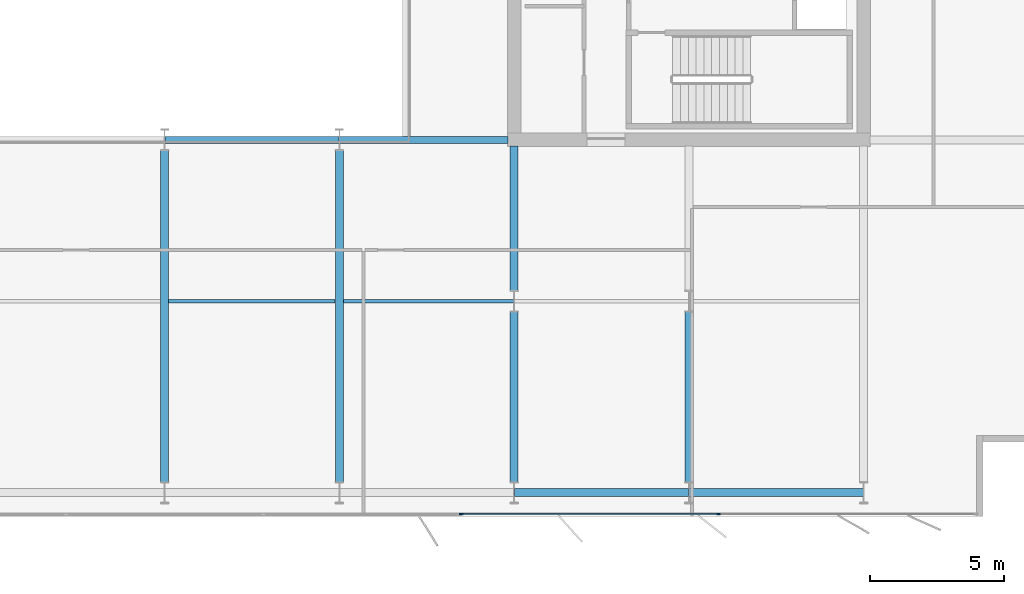
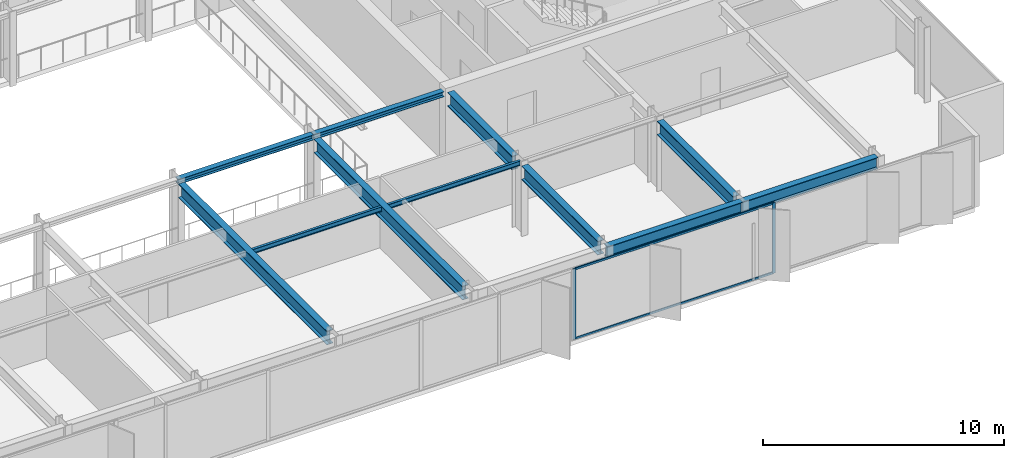
# One storey, part 7 of 23: 11 beams, 4 members, 1 element without a shape of its own.
"""IFC4 building model written with IfcOpenShell, lengths in metres."""

from ifc_helpers import new_model, si_unit, direction, frame, origin, origin_2d, place, context, subcontext, project, spatial, rectangle, i_section, extrude, material, layer, layer_set, material_profile, profile_set, type_object, element, aggregate, save


model = new_model("IFC4")

# Units and contexts
model_context = context("Model", 3, precision=1e-05, world=origin(), true_north=direction((0.0, 1.0)))
body_context = subcontext(model_context, "Body", "Model", "MODEL_VIEW")
ifc_project = project(units=[si_unit("LENGTHUNIT", "METRE"), si_unit("AREAUNIT", "SQUARE_METRE"), si_unit("VOLUMEUNIT", "CUBIC_METRE"), si_unit("PLANEANGLEUNIT", "RADIAN"), si_unit("MASSUNIT", "GRAM", prefix="KILO")], contexts=[model_context])

# Site, building, storey
site_placement = place(None, origin())
site = spatial("IfcSite", under=ifc_project, at=site_placement, CompositionType="ELEMENT")
building_placement = place(site_placement, origin())
building = spatial("IfcBuilding", under=site, at=building_placement, Name="Putna Gate Headquarters", CompositionType="ELEMENT")
storey_placement = place(building_placement, frame((0.0, 0.0, 225.199951171875)))
storey = spatial("IfcBuildingStorey", under=building, at=storey_placement, Name="L56", CompositionType="ELEMENT", Elevation=225.199951171875)

# Beams
ifc_material_1 = material(Name="Steel S355J2", Category="steel")
ifc_material_profile_1 = material_profile(ifc_material_1, i_section(OverallWidth=0.260009765625, OverallDepth=0.260009765625, WebThickness=0.010009765625, FlangeThickness=0.017578125, at=origin_2d()), Name="Steel S355J2")
ifc_profile_set_1 = profile_set([ifc_material_profile_1], Name="Steel S355J2")
beam_type_1 = type_object("IfcBeamType", Name="BM-ATRIUM-HEB260", PredefinedType="BEAM", material=ifc_profile_set_1)
beam_1_placement = place(storey_placement, frame((39.006103515625, 19.0, 3.449951171875), z_axis=(1.0, 0.0, 0.0), x_axis=(0.0, 1.0, 0.0)))
element("IfcBeam", 1, at=beam_1_placement, inside=storey, type_object=beam_type_1, Name="L56 Atrium Edge Beam AS3", PredefinedType="BEAM", context=body_context, shape_type="SweptSolid", body=[
    extrude(i_section(OverallWidth=0.260009765625, OverallDepth=0.260009765625, WebThickness=0.010009765625, FlangeThickness=0.017578125, at=origin_2d()), origin(), (0.0, 0.0, 1.0), 6.48779296875),
])
beam_2_placement = place(storey_placement, frame((45.506103515625, 19.0, 3.449951171875), z_axis=(1.0, 0.0, 0.0), x_axis=(0.0, 1.0, 0.0)))
element("IfcBeam", 2, at=beam_2_placement, inside=storey, type_object=beam_type_1, Name="L56 Atrium Edge Beam AS4", PredefinedType="BEAM", context=body_context, shape_type="SweptSolid", body=[
    extrude(i_section(OverallWidth=0.260009765625, OverallDepth=0.260009765625, WebThickness=0.010009765625, FlangeThickness=0.017578125, at=origin_2d()), origin(), (0.0, 0.0, 1.0), 6.2587890625),
])
ifc_material_profile_2 = material_profile(ifc_material_1, i_section(OverallWidth=0.300048828125, OverallDepth=0.699951171875, WebThickness=0.01708984375, FlangeThickness=0.031982421875, at=origin_2d()), Name="Steel S355J2")
ifc_profile_set_2 = profile_set([ifc_material_profile_2], Name="Steel S355J2")
beam_type_2 = type_object("IfcBeamType", Name="BM-GIRD-B-HEB700", PredefinedType="USERDEFINED", material=ifc_profile_set_2)
for number, where, z_axis, x_axis, name in (
    (3, (39.0, 6.27490234375, 3.22998046875), (0.0, 1.0, 0.0), (-1.0, 0.0, 0.0), "L56 South Primary Girder X39"),
    (4, (45.5, 6.27490234375, 3.22998046875), (0.0, 1.0, 0.0), (-1.0, 0.0, 0.0), "L56 South Primary Girder X45"),
):
    element("IfcBeam", number, at=place(storey_placement, frame(where, z_axis=z_axis, x_axis=x_axis)), inside=storey, type_object=beam_type_2, Name=name, ObjectType="GIRDER", PredefinedType="USERDEFINED", context=body_context, shape_type="SweptSolid", body=[
        extrude(i_section(OverallWidth=0.300048828125, OverallDepth=0.699951171875, WebThickness=0.01708984375, FlangeThickness=0.031982421875, at=origin_2d()), origin(), (0.0, 0.0, 1.0), 12.330078125),
    ])
beam_3_placement = place(storey_placement, frame((52.0, 6.27490234375, 3.22998046875), z_axis=(0.0, 1.0, 0.0), x_axis=(-1.0, 0.0, 0.0)))
element("IfcBeam", 5, at=beam_3_placement, inside=storey, type_object=beam_type_2, Name="L56 South Primary Girder X52-1", ObjectType="GIRDER", PredefinedType="USERDEFINED", context=body_context, shape_type="SweptSolid", body=[
    extrude(i_section(OverallWidth=0.300048828125, OverallDepth=0.699951171875, WebThickness=0.01708984375, FlangeThickness=0.031982421875, at=origin_2d()), origin(), (0.0, 0.0, 1.0), 6.330078125),
])
beam_4_placement = place(storey_placement, frame((52.0, 13.39501953125, 3.22998046875), z_axis=(0.0, 1.0, 0.0), x_axis=(-1.0, 0.0, 0.0)))
element("IfcBeam", 6, at=beam_4_placement, inside=storey, type_object=beam_type_2, Name="L56 South Primary Girder X52-2", ObjectType="GIRDER", PredefinedType="USERDEFINED", context=body_context, shape_type="SweptSolid", body=[
    extrude(i_section(OverallWidth=0.300048828125, OverallDepth=0.699951171875, WebThickness=0.01708984375, FlangeThickness=0.031982421875, at=origin_2d()), origin(), (0.0, 0.0, 1.0), 5.369873046875),
])
beam_5_placement = place(storey_placement, frame((58.5, 6.27490234375, 3.22998046875), z_axis=(0.0, 1.0, 0.0), x_axis=(-1.0, 0.0, 0.0)))
element("IfcBeam", 7, at=beam_5_placement, inside=storey, type_object=beam_type_2, Name="L56 South Primary Girder X58-1", ObjectType="GIRDER", PredefinedType="USERDEFINED", context=body_context, shape_type="SweptSolid", body=[
    extrude(i_section(OverallWidth=0.300048828125, OverallDepth=0.699951171875, WebThickness=0.01708984375, FlangeThickness=0.031982421875, at=origin_2d()), origin(), (0.0, 0.0, 1.0), 6.330078125),
])
ifc_material_profile_3 = material_profile(ifc_material_1, i_section(OverallWidth=0.1201171875, OverallDepth=0.239990234375, WebThickness=0.006103515625, FlangeThickness=0.009765625, at=origin_2d()), Name="Steel S355J2")
ifc_profile_set_3 = profile_set([ifc_material_profile_3], Name="Steel S355J2")
beam_type_3 = type_object("IfcBeamType", Name="BM-SEC-Z4-IPE240", PredefinedType="JOIST", material=ifc_profile_set_3)
beam_6_placement = place(storey_placement, frame((39.154052734375, 13.0, 3.4599609375), z_axis=(1.0, 0.0, 0.0), x_axis=(0.0, 1.0, 0.0)))
element("IfcBeam", 8, at=beam_6_placement, inside=storey, type_object=beam_type_3, Name="L56 South Secondary Beam 5", PredefinedType="JOIST", context=body_context, shape_type="SweptSolid", body=[
    extrude(i_section(OverallWidth=0.1201171875, OverallDepth=0.239990234375, WebThickness=0.006103515625, FlangeThickness=0.009765625, at=origin_2d()), origin(), (0.0, 0.0, 1.0), 6.19189453125),
])
beam_7_placement = place(storey_placement, frame((45.654052734375, 13.0, 3.4599609375), z_axis=(1.0, 0.0, 0.0), x_axis=(0.0, 1.0, 0.0)))
element("IfcBeam", 9, at=beam_7_placement, inside=storey, type_object=beam_type_3, Name="L56 South Secondary Beam 6", PredefinedType="JOIST", context=body_context, shape_type="SweptSolid", body=[
    extrude(i_section(OverallWidth=0.1201171875, OverallDepth=0.239990234375, WebThickness=0.006103515625, FlangeThickness=0.009765625, at=origin_2d()), origin(), (0.0, 0.0, 1.0), 6.33984375),
])
ifc_material_profile_4 = material_profile(ifc_material_1, i_section(OverallWidth=0.300048828125, OverallDepth=0.590087890625, WebThickness=0.012939453125, FlangeThickness=0.02490234375, at=origin_2d()), Name="Steel S355J2")
ifc_profile_set_4 = profile_set([ifc_material_profile_4], Name="Steel S355J2")
beam_type_4 = type_object("IfcBeamType", Name="BM-SPAN-Z4-HEA600", PredefinedType="SPANDREL", material=ifc_profile_set_4)
for number, where, z_axis, x_axis, name in (
    (10, (52.006103515625, 5.8798828125, 3.28515625), (1.0, 0.0, 0.0), (0.0, 1.0, 0.0), "L56 S Perimeter Spandrel 7"),
    (11, (58.506103515625, 5.8798828125, 3.28515625), (1.0, 0.0, 0.0), (0.0, 1.0, 0.0), "L56 S Perimeter Spandrel 8"),
):
    element("IfcBeam", number, at=place(storey_placement, frame(where, z_axis=z_axis, x_axis=x_axis)), inside=storey, type_object=beam_type_4, Name=name, PredefinedType="SPANDREL", context=body_context, shape_type="SweptSolid", body=[
        extrude(i_section(OverallWidth=0.300048828125, OverallDepth=0.590087890625, WebThickness=0.012939453125, FlangeThickness=0.02490234375, at=origin_2d()), origin(), (0.0, 0.0, 1.0), 6.48779296875),
    ])

# Curtain wall, members
ifc_material_2 = material(Name="Anodised bronze aluminium curtain wall", Category="aluminium")
ifc_layer = layer(ifc_material_2, 0.139892578125)
ifc_layer_set = layer_set([ifc_layer], Name="Anodised bronze aluminium curtain wall")
curtain_wall_type = type_object("IfcCurtainWallType", Name="CW-SYS-Z4", PredefinedType="USERDEFINED", material=ifc_layer_set)
curtain_wall_placement = place(storey_placement, origin())
curtain_wall = element("IfcCurtainWall", 12, at=curtain_wall_placement, inside=storey, type_object=curtain_wall_type, Name="L56 South East Curtain Wall", ObjectType="STICK CURTAIN WALL", PredefinedType="USERDEFINED")
ifc_material_3 = material(Name="Anodised bronze aluminium EN AW-6060", Category="aluminium")
ifc_material_profile_5 = material_profile(ifc_material_3, rectangle(XDim=0.06005859375, YDim=0.139892578125, at=origin_2d()), Name="Anodised bronze aluminium EN AW-6060")
ifc_profile_set_5 = profile_set([ifc_material_profile_5], Name="Anodised bronze aluminium EN AW-6060")
member_type_1 = type_object("IfcMemberType", Name="MULL-CWM-4", PredefinedType="MULLION", material=ifc_profile_set_5)
member_1_placement = place(storey_placement, frame((50.030029296875, 5.080078125, 0.0), z_axis=(0.0, 0.0, 1.0), x_axis=(0.0, 1.0, 0.0)))
member_1 = element("IfcMember", 13, at=member_1_placement, type_object=member_type_1, Name="CWS-4 mullion 1", PredefinedType="MULLION", context=body_context, shape_type="SweptSolid", body=[
    extrude(rectangle(XDim=0.06005859375, YDim=0.139892578125, at=origin_2d()), origin(), (0.0, 0.0, 1.0), 3.580078125),
])
member_2_placement = place(storey_placement, frame((59.60009765625, 5.080078125, 0.0), z_axis=(0.0, 0.0, 1.0), x_axis=(0.0, 1.0, 0.0)))
member_2 = element("IfcMember", 14, at=member_2_placement, type_object=member_type_1, Name="CWS-4 mullion 2", PredefinedType="MULLION", context=body_context, shape_type="SweptSolid", body=[
    extrude(rectangle(XDim=0.06005859375, YDim=0.139892578125, at=origin_2d()), origin(), (0.0, 0.0, 1.0), 3.580078125),
])
ifc_material_profile_6 = material_profile(ifc_material_3, rectangle(XDim=0.06005859375, YDim=0.10009765625, at=origin_2d()), Name="Anodised bronze aluminium EN AW-6060")
ifc_profile_set_6 = profile_set([ifc_material_profile_6], Name="Anodised bronze aluminium EN AW-6060")
member_type_2 = type_object("IfcMemberType", Name="TRAN-CWT-4", PredefinedType="USERDEFINED", material=ifc_profile_set_6)
member_3_placement = place(storey_placement, frame((50.06005859375, 5.080078125, 0.030029296875), z_axis=(1.0, 0.0, 0.0), x_axis=(0.0, 1.0, 0.0)))
member_3 = element("IfcMember", 15, at=member_3_placement, type_object=member_type_2, Name="CWS-4 transom 1.1", ObjectType="TRANSOM", PredefinedType="USERDEFINED", context=body_context, shape_type="SweptSolid", body=[
    extrude(rectangle(XDim=0.06005859375, YDim=0.10009765625, at=origin_2d()), origin(), (0.0, 0.0, 1.0), 9.510009765625),
])
member_4_placement = place(storey_placement, frame((50.06005859375, 5.080078125, 3.550048828125), z_axis=(1.0, 0.0, 0.0), x_axis=(0.0, 1.0, 0.0)))
member_4 = element("IfcMember", 16, at=member_4_placement, type_object=member_type_2, Name="CWS-4 transom 1.2", ObjectType="TRANSOM", PredefinedType="USERDEFINED", context=body_context, shape_type="SweptSolid", body=[
    extrude(rectangle(XDim=0.06005859375, YDim=0.10009765625, at=origin_2d()), origin(), (0.0, 0.0, 1.0), 9.510009765625),
])
aggregate(curtain_wall, [member_1, member_2, member_3, member_4])

save(model, "model.ifc")
